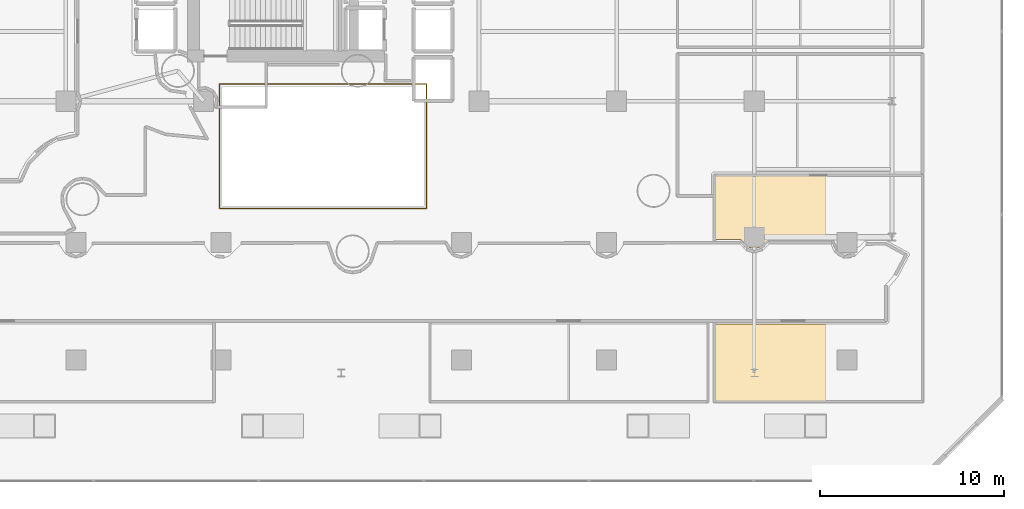
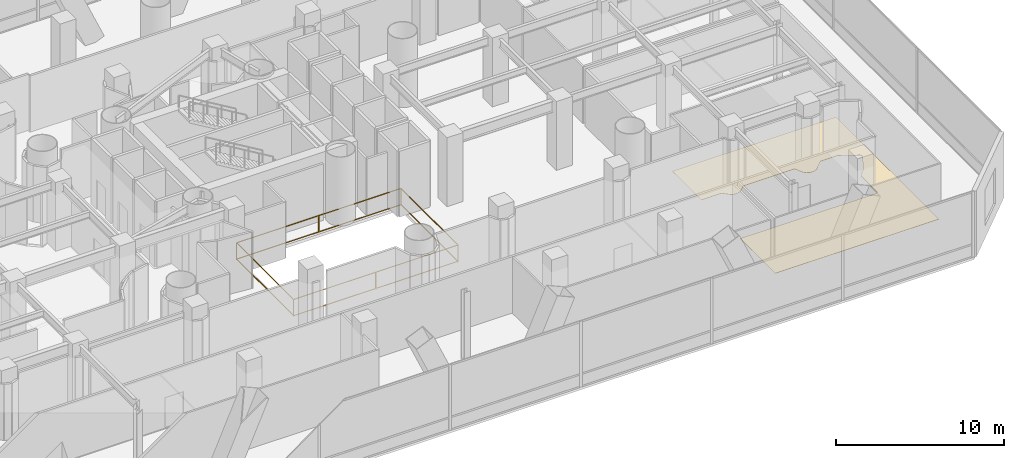
# One storey, part 38 of 42: 1 covering, 1 railing.
"""IFC4 building model written with IfcOpenShell, lengths in metres."""

from ifc_helpers import new_model, si_unit, direction, frame, origin, origin_2d, place, context, subcontext, project, spatial, polyline, rectangle, outline, extrude, material, layer, layer_set, type_object, element, save


model = new_model("IFC4")

# Units and contexts
model_context = context("Model", 3, precision=1e-05, world=origin(), true_north=direction((0.0, 1.0)))
body_context = subcontext(model_context, "Body", "Model", "MODEL_VIEW")
ifc_project = project(units=[si_unit("LENGTHUNIT", "METRE"), si_unit("AREAUNIT", "SQUARE_METRE"), si_unit("VOLUMEUNIT", "CUBIC_METRE"), si_unit("PLANEANGLEUNIT", "RADIAN"), si_unit("MASSUNIT", "GRAM", prefix="KILO")], contexts=[model_context])

# Site, building, storey
site_placement = place(None, origin())
site = spatial("IfcSite", under=ifc_project, at=site_placement, CompositionType="ELEMENT")
building_placement = place(site_placement, origin())
building = spatial("IfcBuilding", under=site, at=building_placement, Name="Qianvela Tower", CompositionType="ELEMENT")
storey_placement = place(building_placement, frame((0.0, 0.0, 6.0)))
storey = spatial("IfcBuildingStorey", under=building, at=storey_placement, Name="L01", CompositionType="ELEMENT", Elevation=6.0)

# Covering
ifc_material_1 = material(Name="Engineered Acoustic Oak Timber Flooring", Category="wood")
ifc_layer = layer(ifc_material_1, 0.02001953125)
ifc_layer_set = layer_set([ifc_layer], Name="Engineered Acoustic Oak Timber Flooring")
covering_type = type_object("IfcCoveringType", Name="COV-FLOOR-OAK-20", PredefinedType="FLOORING", material=ifc_layer_set)
covering_placement = place(storey_placement, origin())
element("IfcCovering", 1, at=covering_placement, inside=storey, type_object=covering_type, Name="L01 Finish Flooring L01 Quiet Reading Study Lounge", PredefinedType="FLOORING", context=body_context, shape_type="SweptSolid", body=[
    extrude(outline(polyline([(69.1201171875, 5.8798828125), (57.8798828125, 5.8798828125), (57.8798828125, 10.05810546875), (67.218017578125, 10.060791015625), (67.226318359375, 10.06103515625), (67.234619140625, 10.0625), (67.242431640625, 10.064453125), (67.250244140625, 10.0673828125), (67.257568359375, 10.0712890625), (67.2646484375, 10.07568359375), (67.27099609375, 10.080810546875), (67.277099609375, 10.086669921875), (67.2822265625, 10.093017578125), (67.326416015625, 10.15234375), (67.3310546875, 10.159423828125), (67.3349609375, 10.1669921875), (67.337890625, 10.1748046875), (67.340087890625, 10.18310546875), (67.341552734375, 10.19140625), (67.342041015625, 10.199951171875), (67.342041015625, 12.08984375), (67.817138671875, 12.63525390625), (67.82275390625, 12.642578125), (67.82763671875, 12.650390625), (68.435791015625, 13.802734375), (68.439208984375, 13.810302734375), (68.44189453125, 13.81787109375), (68.443603515625, 13.82568359375), (68.44482421875, 13.833984375), (68.445068359375, 13.842041015625), (68.4443359375, 13.85009765625), (68.443115234375, 13.858154296875), (68.440673828125, 13.865966796875), (68.437744140625, 13.87353515625), (68.43408203125, 13.880859375), (68.40185546875, 13.935302734375), (68.397216796875, 13.9423828125), (68.3916015625, 13.94921875), (68.385498046875, 13.955078125), (68.378662109375, 13.96044921875), (68.37109375, 13.965087890625), (67.220947265625, 14.59228515625), (67.213623046875, 14.595703125), (67.206298828125, 14.598388671875), (67.1982421875, 14.6005859375), (67.1904296875, 14.601806640625), (67.182373046875, 14.60205078125), (66.0517578125, 14.596923828125), (66.0439453125, 14.596435546875), (66.036376953125, 14.59521484375), (66.02880859375, 14.593505859375), (66.021484375, 14.5908203125), (66.0146484375, 14.587646484375), (66.008056640625, 14.58349609375), (66.001708984375, 14.5791015625), (65.99609375, 14.573974609375), (65.392333984375, 13.980224609375), (65.16650390625, 13.88671875), (64.922607421875, 13.88671875), (64.697265625, 13.980224609375), (64.524658203125, 14.152587890625), (64.341064453125, 14.595458984375), (64.337646484375, 14.6025390625), (64.33349609375, 14.609375), (64.328857421875, 14.615478515625), (64.323486328125, 14.621337890625), (64.31787109375, 14.626708984375), (64.3115234375, 14.63134765625), (64.2626953125, 14.663818359375), (64.256103515625, 14.66796875), (64.248779296875, 14.671142578125), (64.241455078125, 14.673828125), (64.23388671875, 14.67578125), (64.22607421875, 14.677001953125), (64.21826171875, 14.67724609375), (60.78857421875, 14.668701171875), (60.781005859375, 14.668212890625), (60.7734375, 14.667236328125), (60.76611328125, 14.665283203125), (60.759033203125, 14.662841796875), (60.752197265625, 14.659912109375), (60.74560546875, 14.656005859375), (60.739501953125, 14.651611328125), (60.733642578125, 14.646728515625), (60.34326171875, 14.275634765625), (60.246337890625, 14.223876953125), (60.0, 14.1748046875), (59.753662109375, 14.223876953125), (59.656982421875, 14.275390625), (59.2763671875, 14.6416015625), (59.2705078125, 14.646484375), (59.264404296875, 14.65087890625), (59.2578125, 14.65478515625), (59.250732421875, 14.658203125), (59.243408203125, 14.66064453125), (59.236083984375, 14.662353515625), (59.228515625, 14.66357421875), (59.220703125, 14.663818359375), (57.8798828125, 14.66162109375), (57.8798828125, 18.1201171875), (69.1201171875, 18.1201171875), (69.1201171875, 5.8798828125)])), origin(), (0.0, 0.0, 1.0), 0.02001953125),
])

# Railing
ifc_material_2 = material(Name="Laminated Safety Glass and Stainless Steel 316", Category="steel")
railing_type = type_object("IfcRailingType", Name="RL-ATRIUM-GUARD-1250", PredefinedType="GUARDRAIL", material=ifc_material_2)
railing_placement = place(storey_placement, frame((30.860107421875, 16.360107421875, 0.0)))
element("IfcRailing", 2, at=railing_placement, inside=storey, type_object=railing_type, Name="L01 Atrium Edge Guardrail 1", PredefinedType="GUARDRAIL", context=body_context, shape_type="SweptSolid", body=[
    extrude(rectangle(XDim=0.050048828125, YDim=0.0400390625, at=origin_2d()), frame((0.0, 0.0, 1.22998046875), z_axis=(0.0, 1.0, 0.0), x_axis=(-1.0, 0.0, 0.0)), (0.0, 0.0, 1.0), 6.77978515625),
    extrude(rectangle(XDim=0.050048828125, YDim=0.0400390625, at=origin_2d()), frame((0.0, 0.0, 0.050048828125), z_axis=(0.0, 1.0, 0.0), x_axis=(-1.0, 0.0, 0.0)), (0.0, 0.0, 1.0), 6.77978515625),
    extrude(rectangle(XDim=0.050048828125, YDim=0.0400390625, at=origin_2d()), frame((0.0, 6.77978515625, 1.22998046875), z_axis=(1.0, 0.0, 0.0), x_axis=(0.0, 1.0, 0.0)), (0.0, 0.0, 1.0), 11.27978515625),
    extrude(rectangle(XDim=0.050048828125, YDim=0.0400390625, at=origin_2d()), frame((0.0, 6.77978515625, 0.050048828125), z_axis=(1.0, 0.0, 0.0), x_axis=(0.0, 1.0, 0.0)), (0.0, 0.0, 1.0), 11.27978515625),
    extrude(rectangle(XDim=0.050048828125, YDim=0.0400390625, at=origin_2d()), frame((11.27978515625, 6.77978515625, 1.22998046875), z_axis=(0.0, -1.0, 0.0), x_axis=(1.0, 0.0, 0.0)), (0.0, 0.0, 1.0), 6.77978515625),
    extrude(rectangle(XDim=0.050048828125, YDim=0.0400390625, at=origin_2d()), frame((11.27978515625, 6.77978515625, 0.050048828125), z_axis=(0.0, -1.0, 0.0), x_axis=(1.0, 0.0, 0.0)), (0.0, 0.0, 1.0), 6.77978515625),
    extrude(rectangle(XDim=0.050048828125, YDim=0.0400390625, at=origin_2d()), frame((11.27978515625, 0.0, 1.22998046875), z_axis=(-1.0, 0.0, 0.0), x_axis=(0.0, -1.0, 0.0)), (0.0, 0.0, 1.0), 11.27978515625),
    extrude(rectangle(XDim=0.050048828125, YDim=0.0400390625, at=origin_2d()), frame((11.27978515625, 0.0, 0.050048828125), z_axis=(-1.0, 0.0, 0.0), x_axis=(0.0, -1.0, 0.0)), (0.0, 0.0, 1.0), 11.27978515625),
    extrude(rectangle(XDim=0.050048828125, YDim=0.050048828125, at=origin_2d()), origin(), (0.0, 0.0, 1.0), 1.2099609375),
    extrude(rectangle(XDim=0.050048828125, YDim=0.050048828125, at=origin_2d()), frame((0.0, 6.77978515625, 0.0)), (0.0, 0.0, 1.0), 1.2099609375),
    extrude(rectangle(XDim=0.050048828125, YDim=0.050048828125, at=origin_2d()), frame((5.639892578125, 6.77978515625, 0.0)), (0.0, 0.0, 1.0), 1.2099609375),
    extrude(rectangle(XDim=0.050048828125, YDim=0.050048828125, at=origin_2d()), frame((11.27978515625, 6.77978515625, 0.0)), (0.0, 0.0, 1.0), 1.2099609375),
    extrude(rectangle(XDim=0.050048828125, YDim=0.050048828125, at=origin_2d()), frame((11.27978515625, 0.0, 0.0)), (0.0, 0.0, 1.0), 1.2099609375),
    extrude(rectangle(XDim=0.050048828125, YDim=0.050048828125, at=origin_2d()), frame((5.639892578125, 0.0, 0.0)), (0.0, 0.0, 1.0), 1.2099609375),
])

save(model, "model.ifc")
